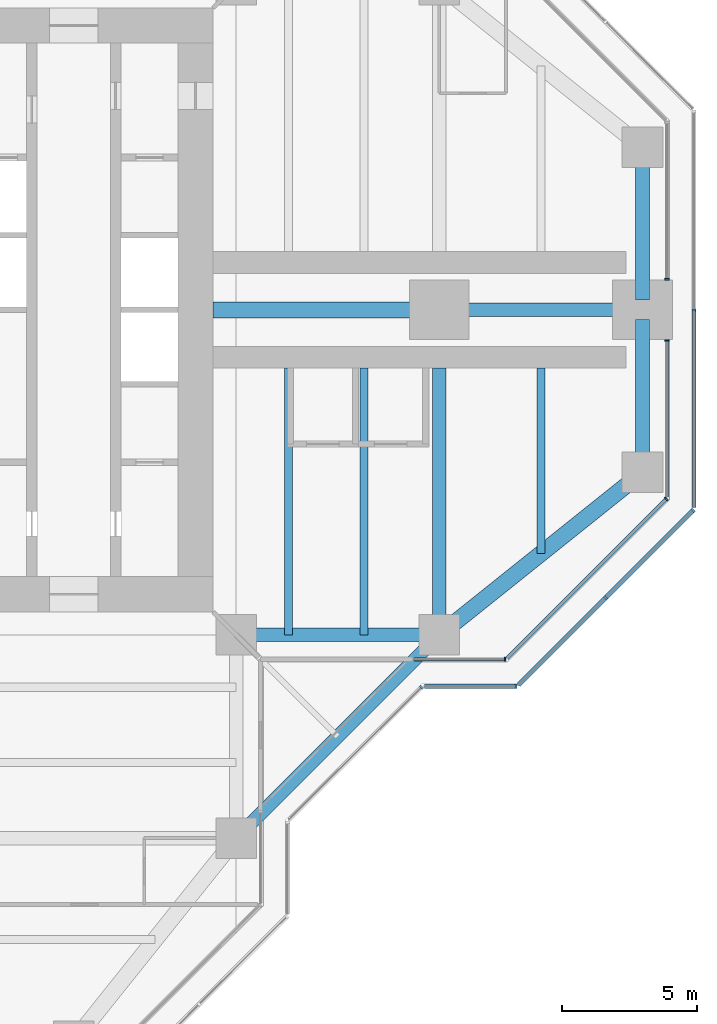
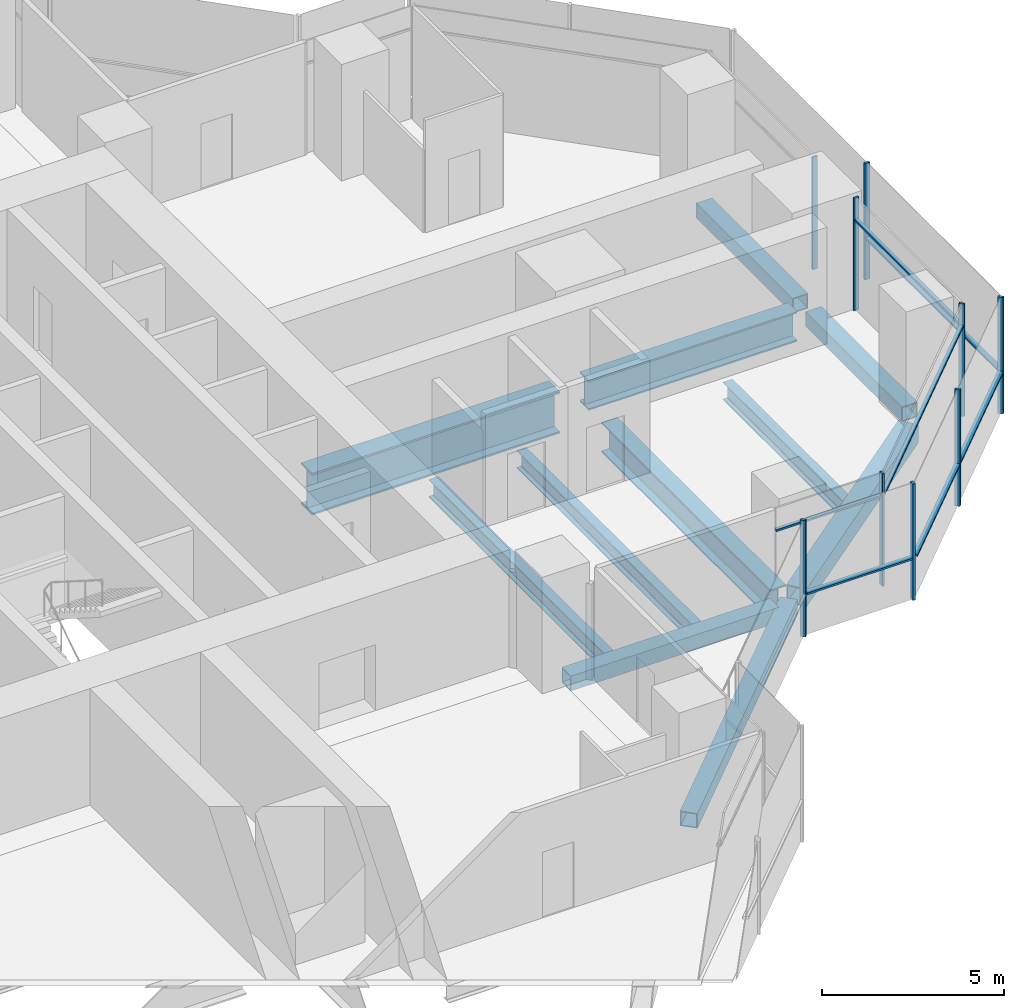
# One storey, part 5 of 17: 16 members, 11 beams, 8 elements without a shape of their own.
"""IFC4 building model written with IfcOpenShell, lengths in metres."""

from ifc_helpers import new_model, si_unit, direction, frame, origin, origin_2d, place, context, subcontext, project, spatial, rectangle, hollow_rectangle, i_section, extrude, material, material_profile, profile_set, type_object, element, aggregate, save


model = new_model("IFC4")

# Units and contexts
model_context = context("Model", 3, precision=1e-05, world=origin(), true_north=direction((0.0, 1.0)))
body_context = subcontext(model_context, "Body", "Model", "MODEL_VIEW")
ifc_project = project(units=[si_unit("LENGTHUNIT", "METRE"), si_unit("AREAUNIT", "SQUARE_METRE"), si_unit("VOLUMEUNIT", "CUBIC_METRE"), si_unit("PLANEANGLEUNIT", "RADIAN"), si_unit("MASSUNIT", "GRAM", prefix="KILO")], contexts=[model_context])

# Site, building, storey
site_placement = place(None, origin())
site = spatial("IfcSite", under=ifc_project, at=site_placement, CompositionType="ELEMENT")
building_placement = place(site_placement, origin())
building = spatial("IfcBuilding", under=site, at=building_placement, Name="Mizan Broadcast Tower", CompositionType="ELEMENT")
storey_placement = place(building_placement, frame((0.0, 0.0, 240.0)))
storey = spatial("IfcBuildingStorey", under=building, at=storey_placement, Name="L56", CompositionType="ELEMENT", Elevation=240.0)

# Beams
ifc_material_1 = material(Name="Steel S355", Category="steel")
ifc_material_profile_1 = material_profile(ifc_material_1, hollow_rectangle(XDim=0.5, YDim=0.5, WallThickness=0.030029296875, at=origin_2d()), Name="BOX 500x500x30")
ifc_profile_set_1 = profile_set([ifc_material_profile_1], Name="Steel S355")
beam_type_1 = type_object("IfcBeamType", Name="EDGE BEAM BOX 500x500x30", PredefinedType="SPANDREL", material=ifc_profile_set_1)
beam_1_placement = place(storey_placement, frame((12.449951171875, -12.0, -0.3798828125), z_axis=(1.0, 0.0, 0.0), x_axis=(0.0, 1.0, 0.0)))
element("IfcBeam", 1, at=beam_1_placement, inside=storey, type_object=beam_type_1, Name="Edge beam BOX 500x500x30 L56 east arm", PredefinedType="SPANDREL", context=body_context, shape_type="SweptSolid", body=[
    extrude(hollow_rectangle(XDim=0.5, YDim=0.5, WallThickness=0.030029296875, at=origin_2d()), origin(), (0.0, 0.0, 1.0), 6.60009765625),
])
for number, where, z_axis, x_axis, name in (
    (2, (27.0, -5.639892578125, -0.3798828125), (0.0, 1.0, 0.0), (-1.0, 0.0, 0.0), "Edge beam BOX 500x500x30 L56 east arm"),
    (3, (27.0, 5.639892578125, -0.3798828125), (0.0, -1.0, 0.0), (1.0, 0.0, 0.0), "Edge beam BOX 500x500x30 L56 east arm"),
):
    element("IfcBeam", number, at=place(storey_placement, frame(where, z_axis=z_axis, x_axis=x_axis)), inside=storey, type_object=beam_type_1, Name=name, PredefinedType="SPANDREL", context=body_context, shape_type="SweptSolid", body=[
        extrude(hollow_rectangle(XDim=0.5, YDim=0.5, WallThickness=0.030029296875, at=origin_2d()), origin(), (0.0, 0.0, 1.0), 5.27978515625),
    ])
beam_2_placement = place(storey_placement, frame((12.0, -19.5, -0.3798828125), z_axis=(0.707106781187, 0.707106781187, 0.0), x_axis=(-0.707106781187, 0.707106781187, 0.0)))
element("IfcBeam", 4, at=beam_2_placement, inside=storey, type_object=beam_type_1, Name="Winter garden edge beam L56 S", PredefinedType="SPANDREL", context=body_context, shape_type="SweptSolid", body=[
    extrude(hollow_rectangle(XDim=0.5, YDim=0.5, WallThickness=0.030029296875, at=origin_2d()), origin(), (0.0, 0.0, 1.0), 10.606689453125),
])
ifc_material_2 = material(Name="Steel S355", Category="steel")
ifc_material_profile_2 = material_profile(ifc_material_2, hollow_rectangle(XDim=0.60009765625, YDim=0.60009765625, WallThickness=0.030029296875, at=origin_2d()), Name="BOX 600x600x30")
ifc_profile_set_2 = profile_set([ifc_material_profile_2], Name="Steel S355")
beam_type_2 = type_object("IfcBeamType", Name="EDGE BEAM BOX 600x600x30", PredefinedType="SPANDREL", material=ifc_profile_set_2)
beam_3_placement = place(storey_placement, frame((19.949951171875, -11.639892578125, -0.429931640625), z_axis=(0.780885717636, 0.624673911726, 0.0), x_axis=(-0.624673911726, 0.780885717636, 0.0)))
element("IfcBeam", 5, at=beam_3_placement, inside=storey, type_object=beam_type_2, Name="Edge beam BOX 600x600x30 L56 east arm", PredefinedType="SPANDREL", context=body_context, shape_type="SweptSolid", body=[
    extrude(hollow_rectangle(XDim=0.60009765625, YDim=0.60009765625, WallThickness=0.030029296875, at=origin_2d()), origin(), (0.0, 0.0, 1.0), 8.4521484375),
])
ifc_material_3 = material(Name="Steel S460", Category="steel")
ifc_material_profile_3 = material_profile(ifc_material_3, i_section(OverallWidth=0.5, OverallDepth=1.0, WebThickness=0.02490234375, FlangeThickness=0.050048828125, at=origin_2d()), Name="WPG 1000x500")
ifc_profile_set_3 = profile_set([ifc_material_profile_3], Name="Steel S460")
beam_type_3 = type_object("IfcBeamType", Name="GIRDER WPG 1000x500", PredefinedType="BEAM", material=ifc_profile_set_3)
beam_4_placement = place(storey_placement, frame((19.949951171875, 0.0, -0.6298828125), z_axis=(1.0, 0.0, 0.0), x_axis=(0.0, 1.0, 0.0)))
element("IfcBeam", 6, at=beam_4_placement, inside=storey, type_object=beam_type_3, Name="Girder WPG 1000x500 L56 east arm", PredefinedType="BEAM", context=body_context, shape_type="SweptSolid", body=[
    extrude(i_section(OverallWidth=0.5, OverallDepth=1.0, WebThickness=0.02490234375, FlangeThickness=0.050048828125, at=origin_2d()), origin(), (0.0, 0.0, 1.0), 6.60009765625),
])
beam_5_placement = place(storey_placement, frame((19.5, -11.408935546875, -0.6298828125), z_axis=(0.0, 1.0, 0.0), x_axis=(-1.0, 0.0, 0.0)))
element("IfcBeam", 7, at=beam_5_placement, inside=storey, type_object=beam_type_3, Name="Girder WPG 1000x500 L56 east arm", PredefinedType="BEAM", context=body_context, shape_type="SweptSolid", body=[
    extrude(i_section(OverallWidth=0.5, OverallDepth=1.0, WebThickness=0.02490234375, FlangeThickness=0.050048828125, at=origin_2d()), origin(), (0.0, 0.0, 1.0), 9.259033203125),
])
ifc_material_4 = material(Name="Steel S460", Category="steel")
ifc_material_profile_4 = material_profile(ifc_material_4, i_section(OverallWidth=0.60009765625, OverallDepth=1.39990234375, WebThickness=0.02490234375, FlangeThickness=0.06005859375, at=origin_2d()), Name="WPG 1400x600")
ifc_profile_set_4 = profile_set([ifc_material_profile_4], Name="Steel S460")
beam_type_4 = type_object("IfcBeamType", Name="GIRDER WPG 1400x600", PredefinedType="BEAM", material=ifc_profile_set_4)
beam_6_placement = place(storey_placement, frame((11.14990234375, 0.0, -0.830078125), z_axis=(1.0, 0.0, 0.0), x_axis=(0.0, 1.0, 0.0)))
element("IfcBeam", 8, at=beam_6_placement, inside=storey, type_object=beam_type_4, Name="Girder WPG 1400x600 L56 east arm", PredefinedType="BEAM", context=body_context, shape_type="SweptSolid", body=[
    extrude(i_section(OverallWidth=0.60009765625, OverallDepth=1.39990234375, WebThickness=0.02490234375, FlangeThickness=0.06005859375, at=origin_2d()), origin(), (0.0, 0.0, 1.0), 7.84912109375),
])

# Curtain wall, member
ifc_material_5 = material(Name="Aluminium framed glazing", Category="aluminium")
curtain_wall_type_1 = type_object("IfcCurtainWallType", Name="INNER SKIN HIGH ZONE", PredefinedType="USERDEFINED", material=ifc_material_5)
curtain_wall_1_placement = place(storey_placement, origin())
curtain_wall_1 = element("IfcCurtainWall", 9, at=curtain_wall_1_placement, inside=storey, type_object=curtain_wall_type_1, Name="Inner skin high zone L56 E side", ObjectType="INNER SKIN HIGH ZONE", PredefinedType="USERDEFINED")
ifc_material_6 = material(Name="Aluminium, pale anodised", Category="aluminium")
ifc_material_profile_5 = material_profile(ifc_material_6, rectangle(XDim=0.159912109375, YDim=0.06005859375, at=origin_2d()), Name="MULLION 160x60")
ifc_profile_set_5 = profile_set([ifc_material_profile_5], Name="Aluminium, pale anodised")
member_type_1 = type_object("IfcMemberType", Name="INNER SKIN MULLION 60x160", PredefinedType="MULLION", material=ifc_profile_set_5)
member_1_placement = place(storey_placement, frame((21.928466796875, -12.89990234375, 0.0), z_axis=(0.0, 0.0, 1.0), x_axis=(0.0, 1.0, 0.0)))
member_1 = element("IfcMember", 10, at=member_1_placement, type_object=member_type_1, Name="Inner skin high zone L56 E side mullion 2", PredefinedType="MULLION", context=body_context, shape_type="SweptSolid", body=[
    extrude(rectangle(XDim=0.159912109375, YDim=0.06005859375, at=origin_2d()), origin(), (0.0, 0.0, 1.0), 3.77001953125),
])

curtain_wall_2_placement = place(storey_placement, origin())
curtain_wall_2 = element("IfcCurtainWall", 11, at=curtain_wall_2_placement, inside=storey, type_object=curtain_wall_type_1, Name="Inner skin high zone L56 E chamfer", ObjectType="INNER SKIN HIGH ZONE", PredefinedType="USERDEFINED")
member_2_placement = place(storey_placement, frame((27.87890625, -6.979736328125, 0.0), z_axis=(0.0, 0.0, 1.0), x_axis=(-0.707106781187, 0.707106781187, 0.0)))
member_2 = element("IfcMember", 12, at=member_2_placement, type_object=member_type_1, Name="Inner skin high zone L56 E chamfer mullion 2", PredefinedType="MULLION", context=body_context, shape_type="SweptSolid", body=[
    extrude(rectangle(XDim=0.159912109375, YDim=0.06005859375, at=origin_2d()), origin(), (0.0, 0.0, 1.0), 3.77001953125),
])

curtain_wall_3_placement = place(storey_placement, origin())
curtain_wall_3 = element("IfcCurtainWall", 13, at=curtain_wall_3_placement, inside=storey, type_object=curtain_wall_type_1, Name="Inner skin high zone L56 E end", ObjectType="INNER SKIN HIGH ZONE", PredefinedType="USERDEFINED")
member_3_placement = place(storey_placement, frame((27.89990234375, -1.1298828125, 0.0), z_axis=(0.0, 0.0, 1.0), x_axis=(-1.0, 0.0, 0.0)))
member_3 = element("IfcMember", 14, at=member_3_placement, type_object=member_type_1, Name="Inner skin high zone L56 E end mullion 2", PredefinedType="MULLION", context=body_context, shape_type="SweptSolid", body=[
    extrude(rectangle(XDim=0.159912109375, YDim=0.06005859375, at=origin_2d()), origin(), (0.0, 0.0, 1.0), 3.77001953125),
])

curtain_wall_4_placement = place(storey_placement, origin())
curtain_wall_4 = element("IfcCurtainWall", 15, at=curtain_wall_4_placement, inside=storey, type_object=curtain_wall_type_1, Name="Inner skin high zone L56 E end", ObjectType="INNER SKIN HIGH ZONE", PredefinedType="USERDEFINED")
member_4_placement = place(storey_placement, frame((27.89990234375, 1.1298828125, 0.0), z_axis=(0.0, 0.0, 1.0), x_axis=(-1.0, 0.0, 0.0)))
member_4 = element("IfcMember", 16, at=member_4_placement, type_object=member_type_1, Name="Inner skin high zone L56 E end mullion 1", PredefinedType="MULLION", context=body_context, shape_type="SweptSolid", body=[
    extrude(rectangle(XDim=0.159912109375, YDim=0.06005859375, at=origin_2d()), origin(), (0.0, 0.0, 1.0), 3.77001953125),
])
aggregate(curtain_wall_4, [member_4])

# Member
ifc_material_7 = material(Name="Aluminium, pale anodised", Category="aluminium")
ifc_material_profile_6 = material_profile(ifc_material_7, rectangle(XDim=0.1201171875, YDim=0.06005859375, at=origin_2d()), Name="TRANSOM 120x60")
ifc_profile_set_6 = profile_set([ifc_material_profile_6], Name="Aluminium, pale anodised")
member_type_2 = type_object("IfcMemberType", Name="INNER SKIN TRANSOM 60x120", PredefinedType="USERDEFINED", material=ifc_profile_set_6)
member_5_placement = place(storey_placement, frame((18.56005859375, -12.89990234375, 3.030029296875), z_axis=(1.0, 0.0, 0.0), x_axis=(0.0, 1.0, 0.0)))
member_5 = element("IfcMember", 17, at=member_5_placement, type_object=member_type_2, Name="Inner skin high zone L56 E side transom 1.1", ObjectType="TRANSOM", PredefinedType="USERDEFINED", context=body_context, shape_type="SweptSolid", body=[
    extrude(rectangle(XDim=0.1201171875, YDim=0.06005859375, at=origin_2d()), origin(), (0.0, 0.0, 1.0), 3.338623046875),
])

aggregate(curtain_wall_1, [member_1, member_5])

member_6_placement = place(storey_placement, frame((22.0009765625, -12.857666015625, 3.030029296875), z_axis=(0.707106781187, 0.707106781187, 0.0), x_axis=(-0.707106781187, 0.707106781187, 0.0)))
member_6 = element("IfcMember", 18, at=member_6_placement, type_object=member_type_2, Name="Inner skin high zone L56 E chamfer transom 1.1", ObjectType="TRANSOM", PredefinedType="USERDEFINED", context=body_context, shape_type="SweptSolid", body=[
    extrude(rectangle(XDim=0.1201171875, YDim=0.06005859375, at=origin_2d()), origin(), (0.0, 0.0, 1.0), 8.28271484375),
])

aggregate(curtain_wall_2, [member_2, member_6])

member_7_placement = place(storey_placement, frame((27.89990234375, -6.898681640625, 3.030029296875), z_axis=(0.0, 1.0, 0.0), x_axis=(-1.0, 0.0, 0.0)))
member_7 = element("IfcMember", 19, at=member_7_placement, type_object=member_type_2, Name="Inner skin high zone L56 E end transom 1.1", ObjectType="TRANSOM", PredefinedType="USERDEFINED", context=body_context, shape_type="SweptSolid", body=[
    extrude(rectangle(XDim=0.1201171875, YDim=0.06005859375, at=origin_2d()), origin(), (0.0, 0.0, 1.0), 5.73876953125),
])

aggregate(curtain_wall_3, [member_3, member_7])

# Curtain wall, members
ifc_material_8 = material(Name="Aluminium framed glazing", Category="aluminium")
curtain_wall_type_2 = type_object("IfcCurtainWallType", Name="OUTER SKIN", PredefinedType="USERDEFINED", material=ifc_material_8)
curtain_wall_5_placement = place(storey_placement, origin())
curtain_wall_5 = element("IfcCurtainWall", 20, at=curtain_wall_5_placement, inside=storey, type_object=curtain_wall_type_2, Name="Outer skin L56 E chamfer", ObjectType="OUTER SKIN", PredefinedType="USERDEFINED")
ifc_material_9 = material(Name="Aluminium, pale anodised", Category="aluminium")
ifc_material_profile_7 = material_profile(ifc_material_9, rectangle(XDim=0.159912109375, YDim=0.080078125, at=origin_2d()), Name="MULLION 160x80")
ifc_profile_set_7 = profile_set([ifc_material_profile_7], Name="Aluminium, pale anodised")
member_type_3 = type_object("IfcMemberType", Name="OUTER SKIN MULLION 80x160", PredefinedType="MULLION", material=ifc_profile_set_7)
member_8_placement = place(storey_placement, frame((25.636474609375, -10.636474609375, 0.0), z_axis=(0.0, 0.0, 1.0), x_axis=(-0.707106781187, 0.707106781187, 0.0)))
member_8 = element("IfcMember", 21, at=member_8_placement, type_object=member_type_3, Name="Outer skin L56 E chamfer mullion 2", PredefinedType="MULLION", context=body_context, shape_type="SweptSolid", body=[
    extrude(rectangle(XDim=0.159912109375, YDim=0.080078125, at=origin_2d()), origin(), (0.0, 0.0, 1.0), 3.89990234375),
])
member_9_placement = place(storey_placement, frame((28.871826171875, -7.401123046875, 0.0), z_axis=(0.0, 0.0, 1.0), x_axis=(-0.707106781187, 0.707106781187, 0.0)))
member_9 = element("IfcMember", 22, at=member_9_placement, type_object=member_type_3, Name="Outer skin L56 E chamfer mullion 3", PredefinedType="MULLION", context=body_context, shape_type="SweptSolid", body=[
    extrude(rectangle(XDim=0.159912109375, YDim=0.080078125, at=origin_2d()), origin(), (0.0, 0.0, 1.0), 3.89990234375),
])

# Curtain wall, member
curtain_wall_6_placement = place(storey_placement, origin())
curtain_wall_6 = element("IfcCurtainWall", 23, at=curtain_wall_6_placement, inside=storey, type_object=curtain_wall_type_2, Name="Outer skin L56 E end", ObjectType="OUTER SKIN", PredefinedType="USERDEFINED")
member_10_placement = place(storey_placement, frame((28.89990234375, 0.0, 0.0), z_axis=(0.0, 0.0, 1.0), x_axis=(-1.0, 0.0, 0.0)))
member_10 = element("IfcMember", 24, at=member_10_placement, type_object=member_type_3, Name="Outer skin L56 E end mullion 2", PredefinedType="MULLION", context=body_context, shape_type="SweptSolid", body=[
    extrude(rectangle(XDim=0.159912109375, YDim=0.080078125, at=origin_2d()), origin(), (0.0, 0.0, 1.0), 3.89990234375),
])

curtain_wall_7_placement = place(storey_placement, origin())
curtain_wall_7 = element("IfcCurtainWall", 25, at=curtain_wall_7_placement, inside=storey, type_object=curtain_wall_type_2, Name="Outer skin L56 E chamfer", ObjectType="OUTER SKIN", PredefinedType="USERDEFINED")
member_11_placement = place(storey_placement, frame((18.844482421875, -13.92822265625, 0.0), z_axis=(0.0, 0.0, 1.0), x_axis=(-0.707106781187, 0.707106781187, 0.0)))
member_11 = element("IfcMember", 26, at=member_11_placement, type_object=member_type_3, Name="Outer skin L56 E chamfer mullion 2", PredefinedType="MULLION", context=body_context, shape_type="SweptSolid", body=[
    extrude(rectangle(XDim=0.159912109375, YDim=0.080078125, at=origin_2d()), origin(), (0.0, 0.0, 1.0), 3.89990234375),
])
aggregate(curtain_wall_7, [member_11])

curtain_wall_8_placement = place(storey_placement, origin())
curtain_wall_8 = element("IfcCurtainWall", 27, at=curtain_wall_8_placement, inside=storey, type_object=curtain_wall_type_2, Name="Outer skin L56 E side", ObjectType="OUTER SKIN", PredefinedType="USERDEFINED")
member_12_placement = place(storey_placement, frame((22.332763671875, -13.89990234375, 0.0), z_axis=(0.0, 0.0, 1.0), x_axis=(0.0, 1.0, 0.0)))
member_12 = element("IfcMember", 28, at=member_12_placement, type_object=member_type_3, Name="Outer skin L56 E side mullion 2", PredefinedType="MULLION", context=body_context, shape_type="SweptSolid", body=[
    extrude(rectangle(XDim=0.159912109375, YDim=0.080078125, at=origin_2d()), origin(), (0.0, 0.0, 1.0), 3.89990234375),
])

# Member
ifc_material_10 = material(Name="Aluminium, pale anodised", Category="aluminium")
ifc_material_profile_8 = material_profile(ifc_material_10, rectangle(XDim=0.159912109375, YDim=0.06005859375, at=origin_2d()), Name="TRANSOM 160x60")
ifc_profile_set_8 = profile_set([ifc_material_profile_8], Name="Aluminium, pale anodised")
member_type_4 = type_object("IfcMemberType", Name="OUTER SKIN TRANSOM 60x160", PredefinedType="USERDEFINED", material=ifc_profile_set_8)
member_13_placement = place(storey_placement, frame((22.429443359375, -13.843505859375, 1.39990234375), z_axis=(0.707106781187, 0.707106781187, 0.0), x_axis=(-0.707106781187, 0.707106781187, 0.0)))
member_13 = element("IfcMember", 29, at=member_13_placement, type_object=member_type_4, Name="Outer skin L56 E chamfer transom 1.1", ObjectType="TRANSOM", PredefinedType="USERDEFINED", context=body_context, shape_type="SweptSolid", body=[
    extrude(rectangle(XDim=0.159912109375, YDim=0.06005859375, at=origin_2d()), origin(), (0.0, 0.0, 1.0), 4.495361328125),
])

member_14_placement = place(storey_placement, frame((25.664794921875, -10.608154296875, 1.39990234375), z_axis=(0.707106781187, 0.707106781187, 0.0), x_axis=(-0.707106781187, 0.707106781187, 0.0)))
member_14 = element("IfcMember", 30, at=member_14_placement, type_object=member_type_4, Name="Outer skin L56 E chamfer transom 2.1", ObjectType="TRANSOM", PredefinedType="USERDEFINED", context=body_context, shape_type="SweptSolid", body=[
    extrude(rectangle(XDim=0.159912109375, YDim=0.06005859375, at=origin_2d()), origin(), (0.0, 0.0, 1.0), 4.495361328125),
])

aggregate(curtain_wall_5, [member_8, member_9, member_13, member_14])

member_15_placement = place(storey_placement, frame((28.89990234375, -7.292724609375, 1.39990234375), z_axis=(0.0, 1.0, 0.0), x_axis=(-1.0, 0.0, 0.0)))
member_15 = element("IfcMember", 31, at=member_15_placement, type_object=member_type_4, Name="Outer skin L56 E end transom 1.1", ObjectType="TRANSOM", PredefinedType="USERDEFINED", context=body_context, shape_type="SweptSolid", body=[
    extrude(rectangle(XDim=0.159912109375, YDim=0.06005859375, at=origin_2d()), origin(), (0.0, 0.0, 1.0), 7.252685546875),
])

aggregate(curtain_wall_6, [member_10, member_15])

member_16_placement = place(storey_placement, frame((18.952880859375, -13.89990234375, 1.39990234375), z_axis=(1.0, 0.0, 0.0), x_axis=(0.0, 1.0, 0.0)))
member_16 = element("IfcMember", 32, at=member_16_placement, type_object=member_type_4, Name="Outer skin L56 E side transom 1.1", ObjectType="TRANSOM", PredefinedType="USERDEFINED", context=body_context, shape_type="SweptSolid", body=[
    extrude(rectangle(XDim=0.159912109375, YDim=0.06005859375, at=origin_2d()), origin(), (0.0, 0.0, 1.0), 3.33984375),
])

aggregate(curtain_wall_8, [member_12, member_16])

# Beams
ifc_material_11 = material(Name="Steel S355", Category="steel")
ifc_material_profile_9 = material_profile(ifc_material_11, i_section(OverallWidth=0.300048828125, OverallDepth=0.590087890625, WebThickness=0.012939453125, FlangeThickness=0.02490234375, FilletRadius=0.027099609375, at=origin_2d()), Name="HEA 600")
ifc_profile_set_9 = profile_set([ifc_material_profile_9], Name="Steel S355")
beam_type_5 = type_object("IfcBeamType", Name="SECONDARY BEAM HEA 600", PredefinedType="JOIST", material=ifc_profile_set_9)
for number, where, z_axis, x_axis, name in (
    (33, (13.933349609375, -12.0, -0.425048828125), (0.0, 1.0, 0.0), (-1.0, 0.0, 0.0), "Secondary beam HEA 600 L56 east arm"),
    (34, (16.716552734375, -12.0, -0.425048828125), (0.0, 1.0, 0.0), (-1.0, 0.0, 0.0), "Secondary beam HEA 600 L56 east arm"),
):
    element("IfcBeam", number, at=place(storey_placement, frame(where, z_axis=z_axis, x_axis=x_axis)), inside=storey, type_object=beam_type_5, Name=name, PredefinedType="JOIST", context=body_context, shape_type="SweptSolid", body=[
        extrude(i_section(OverallWidth=0.300048828125, OverallDepth=0.590087890625, WebThickness=0.012939453125, FlangeThickness=0.02490234375, FilletRadius=0.027099609375, at=origin_2d()), origin(), (0.0, 0.0, 1.0), 9.85009765625),
    ])
beam_7_placement = place(storey_placement, frame((23.25, -9.0, -0.425048828125), z_axis=(0.0, 1.0, 0.0), x_axis=(-1.0, 0.0, 0.0)))
element("IfcBeam", 35, at=beam_7_placement, inside=storey, type_object=beam_type_5, Name="Secondary beam HEA 600 L56 east arm", PredefinedType="JOIST", context=body_context, shape_type="SweptSolid", body=[
    extrude(i_section(OverallWidth=0.300048828125, OverallDepth=0.590087890625, WebThickness=0.012939453125, FlangeThickness=0.02490234375, FilletRadius=0.027099609375, at=origin_2d()), origin(), (0.0, 0.0, 1.0), 6.85009765625),
])

save(model, "model.ifc")
